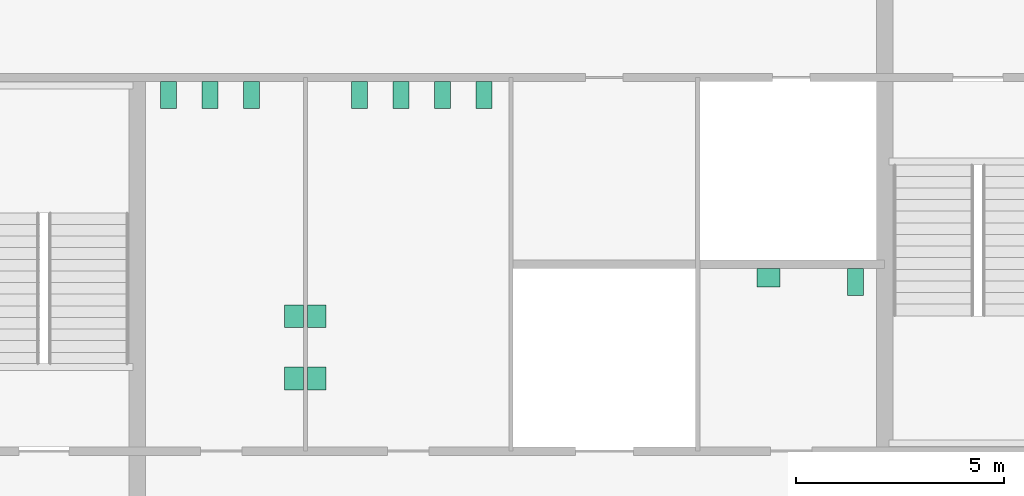
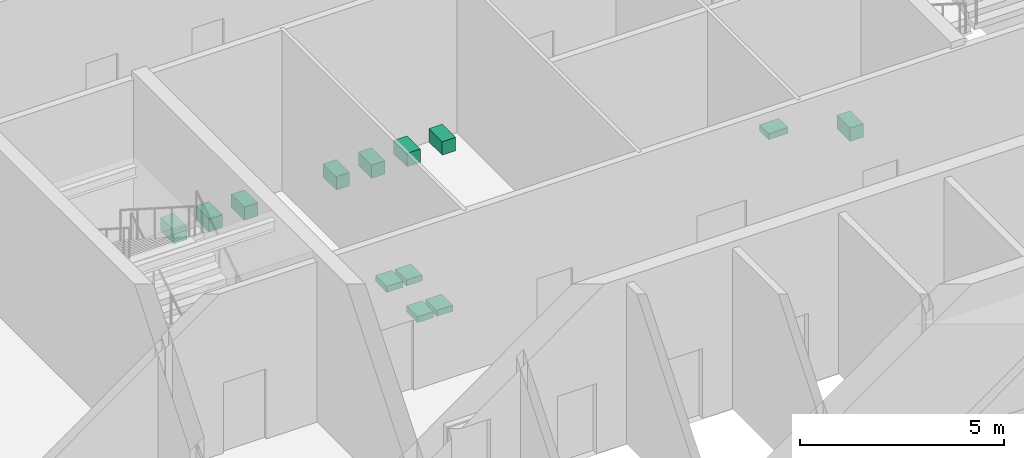
# One storey, part 11 of 11: 13 sanitary terminals.
"""IFC4 building model written with IfcOpenShell, lengths in metres."""

from ifc_helpers import new_model, si_unit, direction, frame, origin, origin_2d, place, context, subcontext, project, spatial, rectangle, extrude, material, type_object, element, save


model = new_model("IFC4")

# Units and contexts
model_context = context("Model", 3, precision=1e-05, world=origin(), true_north=direction((0.0, 1.0)))
body_context = subcontext(model_context, "Body", "Model", "MODEL_VIEW")
ifc_project = project(units=[si_unit("LENGTHUNIT", "METRE"), si_unit("AREAUNIT", "SQUARE_METRE"), si_unit("VOLUMEUNIT", "CUBIC_METRE"), si_unit("PLANEANGLEUNIT", "RADIAN"), si_unit("MASSUNIT", "GRAM", prefix="KILO")], contexts=[model_context])

# Site, building, storey
site_placement = place(None, origin())
site = spatial("IfcSite", under=ifc_project, at=site_placement, CompositionType="ELEMENT")
building_placement = place(site_placement, origin())
building = spatial("IfcBuilding", under=site, at=building_placement, Name="Corais Broadcast Tower", CompositionType="ELEMENT")
storey_placement = place(building_placement, frame((0.0, 0.0, 315.10009765625)))
storey = spatial("IfcBuildingStorey", under=building, at=storey_placement, Name="L74", CompositionType="ELEMENT", Elevation=315.10009765625)

# Sanitary terminals
ifc_material_1 = material(Name="Vitreous china", Category="ceramic")
sanitary_terminal_type_1 = type_object("IfcSanitaryTerminalType", Name="WC pan 380x650", PredefinedType="TOILETPAN", material=ifc_material_1)
for number, where, z_axis, x_axis, name in (
    (1, (18.75, 31.074951171875, 0.0), (0.0, 0.0, 1.0), (1.0, 0.0, 0.0), "SW1 WC pan, male toilets L74"),
    (2, (19.75, 31.074951171875, 0.0), (0.0, 0.0, 1.0), (1.0, 0.0, 0.0), "SW1 WC pan, male toilets L74"),
    (3, (20.75, 31.074951171875, 0.0), (0.0, 0.0, 1.0), (1.0, 0.0, 0.0), "SW1 WC pan, male toilets L74"),
    (4, (23.35009765625, 31.074951171875, 0.0), (0.0, 0.0, 1.0), (1.0, 0.0, 0.0), "SW1 WC pan, female toilets L74"),
    (5, (24.35009765625, 31.074951171875, 0.0), (0.0, 0.0, 1.0), (1.0, 0.0, 0.0), "SW1 WC pan, female toilets L74"),
    (6, (25.35009765625, 31.074951171875, 0.0), (0.0, 0.0, 1.0), (1.0, 0.0, 0.0), "SW1 WC pan, female toilets L74"),
    (7, (26.35009765625, 31.074951171875, 0.0), (0.0, 0.0, 1.0), (1.0, 0.0, 0.0), "SW1 WC pan, female toilets L74"),
    (8, (35.300048828125, 26.574951171875, 0.0), (0.0, 0.0, 1.0), (1.0, 0.0, 0.0), "SW1 WC pan, accessible WC L74"),
):
    element("IfcSanitaryTerminal", number, at=place(storey_placement, frame(where, z_axis=z_axis, x_axis=x_axis)), inside=storey, type_object=sanitary_terminal_type_1, Name=name, PredefinedType="TOILETPAN", context=body_context, shape_type="SweptSolid", body=[
        extrude(rectangle(XDim=0.3798828125, YDim=0.64990234375, at=origin_2d()), origin(), (0.0, 0.0, 1.0), 0.39990234375),
    ])
ifc_material_2 = material(Name="Vitreous china", Category="ceramic")
sanitary_terminal_type_2 = type_object("IfcSanitaryTerminalType", Name="Wash basin 550x450", PredefinedType="WASHHANDBASIN", material=ifc_material_2)
for number, where, z_axis, x_axis, name in (
    (9, (21.77490234375, 24.25, 0.69970703125), (0.0, 0.0, 1.0), (1.0, 0.0, 0.0), "WB1 wash basin, male toilets L74"),
    (10, (21.77490234375, 25.75, 0.69970703125), (0.0, 0.0, 1.0), (1.0, 0.0, 0.0), "WB1 wash basin, male toilets L74"),
    (11, (22.324951171875, 24.25, 0.69970703125), (0.0, 0.0, 1.0), (1.0, 0.0, 0.0), "WB1 wash basin, female toilets L74"),
    (12, (22.324951171875, 25.75, 0.69970703125), (0.0, 0.0, 1.0), (1.0, 0.0, 0.0), "WB1 wash basin, female toilets L74"),
):
    element("IfcSanitaryTerminal", number, at=place(storey_placement, frame(where, z_axis=z_axis, x_axis=x_axis)), inside=storey, type_object=sanitary_terminal_type_2, Name=name, PredefinedType="WASHHANDBASIN", context=body_context, shape_type="SweptSolid", body=[
        extrude(rectangle(XDim=0.449951171875, YDim=0.550048828125, at=origin_2d()), origin(), (0.0, 0.0, 1.0), 0.179931640625),
    ])
sanitary_terminal_placement = place(storey_placement, frame((33.199951171875, 26.675048828125, 0.69970703125), z_axis=(0.0, 0.0, 1.0), x_axis=(1.0, 0.0, 0.0)))
element("IfcSanitaryTerminal", 13, at=sanitary_terminal_placement, inside=storey, type_object=sanitary_terminal_type_2, Name="WB1 wash basin, accessible WC L74", PredefinedType="WASHHANDBASIN", context=body_context, shape_type="SweptSolid", body=[
    extrude(rectangle(XDim=0.550048828125, YDim=0.449951171875, at=origin_2d()), origin(), (0.0, 0.0, 1.0), 0.179931640625),
])

save(model, "model.ifc")
